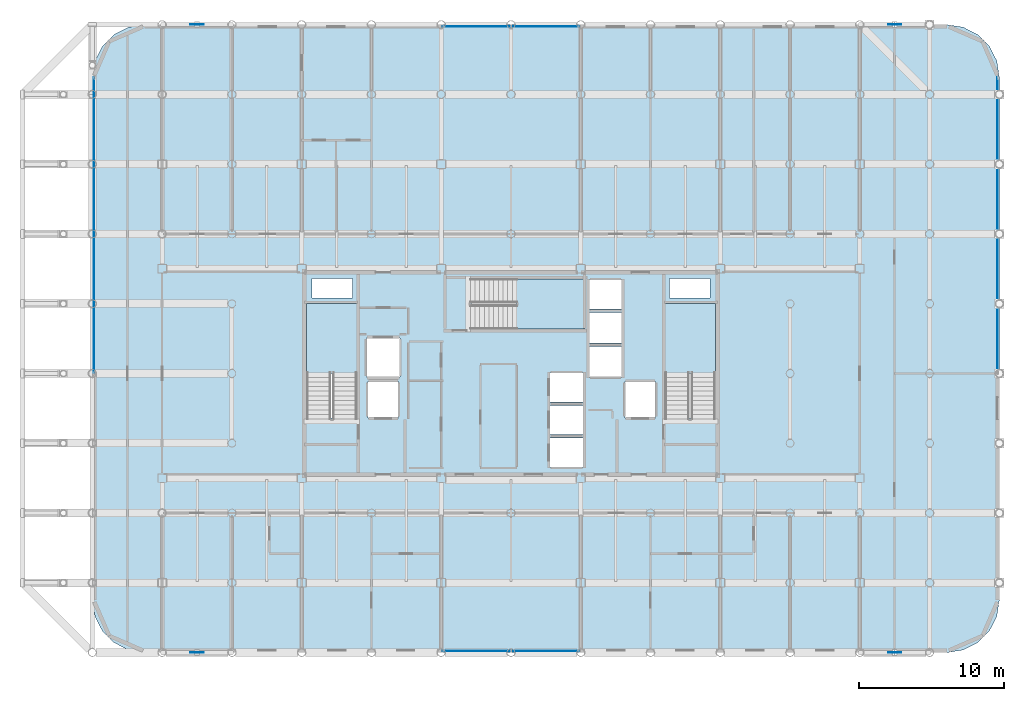
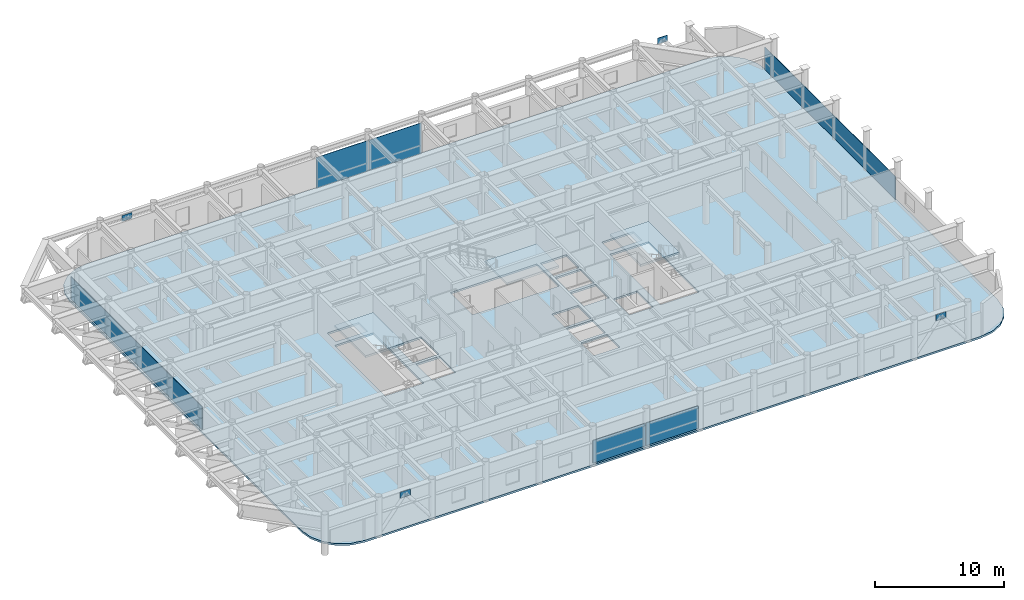
# One storey, part 20 of 27: 10 plates, 4 slabs, 7 elements without a shape of their own.
"""IFC4 building model written with IfcOpenShell, lengths in metres."""

import ifcopenshell
import ifcopenshell.guid

model = None  # the IFC model being written
_history = None  # IfcOwnerHistory: only IFC2X3 demands one
_inside = {}  # id of a spatial element -> (the spatial element, [elements in it])
_under = {}  # id of a project, library or spatial element -> (it, [spatial elements below it])
_declared = {}  # id of a project -> (the project, [libraries it declares])
_typed = {}  # id of a type object -> (the type object, [elements of that type])
_made_of = {}  # id of a material, layer set ... -> (it, [elements and type objects made of it])


def new_model(schema):
    """Start an empty IFC model of exactly this schema.

    Asked for "IFC4X3", IfcOpenShell would pick the latest addendum, in which some entities
    have other attributes; the version numbers below select the first issue.
    IFC2X3 requires an IfcOwnerHistory on every rooted entity: one is made here for all.
    """
    global model, _history
    if schema == "IFC4X3":
        model = ifcopenshell.file(schema_version=(4, 3, 0, 0))
    else:
        model = ifcopenshell.file(schema=schema)
    _inside.clear()
    _under.clear()
    _declared.clear()
    _typed.clear()
    _made_of.clear()
    _history = None
    if model.schema == "IFC2X3":
        org = make("IfcOrganization", Name="unknown")
        user = make(
            "IfcPersonAndOrganization",
            ThePerson=make("IfcPerson", FamilyName="unknown"),
            TheOrganization=org,
        )
        app = make(
            "IfcApplication",
            ApplicationDeveloper=org,
            Version="unknown",
            ApplicationFullName="unknown",
            ApplicationIdentifier="unknown",
        )
        _history = make(
            "IfcOwnerHistory",
            OwningUser=user,
            OwningApplication=app,
            ChangeAction="ADDED",
            CreationDate=0,
        )
    return model


def make(cls, **values):
    """One entity of the class cls with the attributes given. An attribute that is None is left unset."""
    return model.create_entity(
        cls, **{name: value for name, value in values.items() if value is not None}
    )


def rooted(cls, **values):
    """An entity with a GlobalId (a new one), such as an element, a storey or a relation."""
    return make(cls, GlobalId=ifcopenshell.guid.new(), OwnerHistory=_history, **values)


def si_unit(unit_type, name, prefix=None):
    """IfcSIUnit, for example si_unit("LENGTHUNIT", "METRE", prefix="MILLI")."""
    return make("IfcSIUnit", UnitType=unit_type, Prefix=prefix, Name=name)


def assignment(units):
    """IfcUnitAssignment: the units of a project."""
    return None if units is None else make("IfcUnitAssignment", Units=units)


def point(xyz):
    """IfcCartesianPoint."""
    return None if xyz is None else make("IfcCartesianPoint", Coordinates=xyz)


def direction(xyz):
    """IfcDirection."""
    return None if xyz is None else make("IfcDirection", DirectionRatios=xyz)


def frame(location, z_axis=None, x_axis=None):
    """IfcAxis2Placement3D, a coordinate frame: its origin and axes. An axis left out is left unset."""
    return make(
        "IfcAxis2Placement3D",
        Location=point(location),
        Axis=direction(z_axis),
        RefDirection=direction(x_axis),
    )


def frame_2d(location, x_axis=None):
    """IfcAxis2Placement2D, a coordinate frame in the plane: its origin and x axis."""
    return make(
        "IfcAxis2Placement2D", Location=point(location), RefDirection=direction(x_axis)
    )


def origin():
    """The frame at (0, 0, 0) with its axes left unset."""
    return frame((0.0, 0.0, 0.0))


def origin_2d():
    """The frame at (0, 0) in the plane with its x axis left unset."""
    return frame_2d((0.0, 0.0))


def place(relative_to, where):
    """IfcLocalPlacement: puts the frame where relative to a parent placement (None: the world)."""
    return make(
        "IfcLocalPlacement", PlacementRelTo=relative_to, RelativePlacement=where
    )


def context(
    kind, dimensions, precision=None, world=None, true_north=None, identifier=None
):
    """IfcGeometricRepresentationContext, for example the 3D "Model" context."""
    return make(
        "IfcGeometricRepresentationContext",
        ContextIdentifier=identifier,
        ContextType=kind,
        CoordinateSpaceDimension=dimensions,
        Precision=precision,
        WorldCoordinateSystem=world,
        TrueNorth=true_north,
    )


def subcontext(parent, identifier, kind, view, scale=None):
    """IfcGeometricRepresentationSubContext, for example "Body" below "Model"."""
    return make(
        "IfcGeometricRepresentationSubContext",
        ContextIdentifier=identifier,
        ContextType=kind,
        ParentContext=parent,
        TargetScale=scale,
        TargetView=view,
    )


def project(units=None, contexts=None):
    """IfcProject with its units and contexts."""
    return rooted(
        "IfcProject",
        Name="project",
        RepresentationContexts=contexts,
        UnitsInContext=assignment(units),
    )


def spatial(cls, under=None, at=None, **own):
    """A site, building, storey or space (cls), placed at a placement, below another one or the project."""
    s = rooted(cls, ObjectPlacement=at, **own)
    if under is not None:
        _under.setdefault(under.id(), (under, []))[1].append(s)
    return s


def polyline(points):
    """IfcPolyline through the points."""
    return make("IfcPolyline", Points=[point(p) for p in points])


def profile(cls, at=None, kind="AREA", **sizes):
    """A parametric profile (cls). Its sizes go by their IFC names, for example OverallWidth=200.0."""
    return make(cls, ProfileType=kind, Position=at, **sizes)


def rectangle(**sizes):
    """IfcRectangleProfileDef."""
    return profile("IfcRectangleProfileDef", **sizes)


def outline(outer, holes=None, kind="AREA"):
    """IfcArbitraryClosedProfileDef: a profile drawn as a closed curve; with holes, ...WithVoids."""
    if holes is None:
        return make("IfcArbitraryClosedProfileDef", ProfileType=kind, OuterCurve=outer)
    return make(
        "IfcArbitraryProfileDefWithVoids",
        ProfileType=kind,
        OuterCurve=outer,
        InnerCurves=holes,
    )


def extrude(swept, where, along, depth):
    """IfcExtrudedAreaSolid: the profile swept, set in the frame where, extruded along a direction by depth."""
    return make(
        "IfcExtrudedAreaSolid",
        SweptArea=swept,
        Position=where,
        ExtrudedDirection=direction(along),
        Depth=depth,
    )


def shape(context_of_items, identifier, shape_type, items):
    """IfcShapeRepresentation: the items that make up one representation, for example the "Body"."""
    return make(
        "IfcShapeRepresentation",
        ContextOfItems=context_of_items,
        RepresentationIdentifier=identifier,
        RepresentationType=shape_type,
        Items=items,
    )


def material(Name=None, Category=None):
    """IfcMaterial."""
    return make("IfcMaterial", Name=Name, Category=Category)


def layer(
    of_material, thickness, ventilated=None, Name=None, Category=None, Priority=None
):
    """IfcMaterialLayer: one layer of a wall or slab, of a material (None: an air gap)."""
    return make(
        "IfcMaterialLayer",
        Material=of_material,
        LayerThickness=thickness,
        IsVentilated=ventilated,
        Name=Name,
        Category=Category,
        Priority=Priority,
    )


def layer_set(layers, Name=None):
    """IfcMaterialLayerSet."""
    return make("IfcMaterialLayerSet", MaterialLayers=layers, LayerSetName=Name)


def made_of(thing, what):
    """Note that an element or type object is made of a material, layer set ...; save() writes the relation."""
    if what is not None:
        _made_of.setdefault(what.id(), (what, []))[1].append(thing)
    return thing


def type_object(cls, material=None, **own):
    """A type object (cls), such as IfcWallType, which elements share."""
    return made_of(rooted(cls, **own), material)


def element(
    cls,
    number,
    at=None,
    inside=None,
    cuts=None,
    type_object=None,
    material=None,
    context=None,
    identifier="Body",
    shape_type=None,
    held_by="IfcProductDefinitionShape",
    body=None,
    shapes=None,
    **own,
):
    """One element of the class cls, such as IfcWall. Its Tag is "e" and its number.

    at: its placement. inside: the storey or other place that contains it. cuts: it is an
    opening in that element (IfcRelVoidsElement). A single representation is given by context,
    identifier, shape_type and body (its items); several are given by shapes. held_by: the class
    of the entity that holds the representations. save() writes the other relations.
    """
    e = rooted(cls, Tag="e%d" % number, ObjectPlacement=at, **own)
    if body is not None:
        shapes = [shape(context, identifier, shape_type, body)]
    if shapes is not None:
        e.Representation = make(held_by, Representations=shapes)
    if inside is not None:
        _inside.setdefault(inside.id(), (inside, []))[1].append(e)
    if cuts is not None:
        rooted(
            "IfcRelVoidsElement", RelatingBuildingElement=cuts, RelatedOpeningElement=e
        )
    if type_object is not None:
        _typed.setdefault(type_object.id(), (type_object, []))[1].append(e)
    return made_of(e, material)


def aggregate(whole, parts):
    """IfcRelAggregates: a whole, such as a stair, and the parts it consists of."""
    return rooted("IfcRelAggregates", RelatingObject=whole, RelatedObjects=parts)


def save(model, path):
    """Write the relations noted so far, then the file.

    IfcRelAggregates (storeys below a building ...), IfcRelContainedInSpatialStructure (elements
    in a storey), IfcRelDefinesByType, IfcRelAssociatesMaterial and IfcRelDeclares: one each for
    every whole, place, type object, material and project.
    """
    for whole, parts in _under.values():
        aggregate(whole, parts)
    for where, things in _inside.values():
        rooted(
            "IfcRelContainedInSpatialStructure",
            RelatedElements=things,
            RelatingStructure=where,
        )
    for kind, things in _typed.values():
        rooted("IfcRelDefinesByType", RelatedObjects=things, RelatingType=kind)
    for what, things in _made_of.values():
        rooted("IfcRelAssociatesMaterial", RelatedObjects=things, RelatingMaterial=what)
    for by, libraries in _declared.values():
        rooted("IfcRelDeclares", RelatingContext=by, RelatedDefinitions=libraries)
    model.write(path)


model = new_model("IFC4")

# Units and contexts
model_context = context("Model", 3, precision=1e-05, world=origin(), true_north=direction((0.0, 1.0)))
body_context = subcontext(model_context, "Body", "Model", "MODEL_VIEW")
ifc_project = project(units=[si_unit("LENGTHUNIT", "METRE"), si_unit("AREAUNIT", "SQUARE_METRE"), si_unit("VOLUMEUNIT", "CUBIC_METRE"), si_unit("PLANEANGLEUNIT", "RADIAN"), si_unit("MASSUNIT", "GRAM", prefix="KILO")], contexts=[model_context])

# Site, building, storey
site_placement = place(None, origin())
site = spatial("IfcSite", under=ifc_project, at=site_placement, CompositionType="ELEMENT")
building_placement = place(site_placement, origin())
building = spatial("IfcBuilding", under=site, at=building_placement, Name="Kallvorn Hotel Tower", CompositionType="ELEMENT")
storey_placement = place(building_placement, frame((0.0, 0.0, 245.39990234375)))
storey = spatial("IfcBuildingStorey", under=building, at=storey_placement, Name="L61", CompositionType="ELEMENT", Elevation=245.39990234375)

# Curtain wall, plates
ifc_material_1 = material(Name="Thermally broken black-anodised aluminium AA 6063-T6", Category="aluminium")
ifc_layer_1 = layer(ifc_material_1, 0.22998046875)
ifc_layer_set_1 = layer_set([ifc_layer_1], Name="CW_SYS_5_HOTEL_HIGH")
curtain_wall_type = type_object("IfcCurtainWallType", Name="CW_SYS_5_HOTEL_HIGH", PredefinedType="USERDEFINED", material=ifc_layer_set_1)
curtain_wall_1_placement = place(storey_placement, origin())
curtain_wall_1 = element("IfcCurtainWall", 1, at=curtain_wall_1_placement, inside=storey, type_object=curtain_wall_type, Name="L61 Dark-Glass Curtain Wall CW-L61-SC", ObjectType="UNITISED CURTAIN WALL", PredefinedType="USERDEFINED")
ifc_material_2 = material(Name="Triple-glazed low-e acoustic solar-control dark glass", Category="glass")
ifc_layer_2 = layer(ifc_material_2, 0.04150390625)
ifc_layer_set_2 = layer_set([ifc_layer_2], Name="CW_SYS_5_HOTEL_HIGH_PANEL")
plate_type_1 = type_object("IfcPlateType", Name="CW_SYS_5_HOTEL_HIGH_PANEL", PredefinedType="CURTAIN_PANEL", material=ifc_layer_set_2)
plate_1_placement = place(storey_placement, frame((-2.375, -19.080078125, 0.06005859375), z_axis=(0.0, 0.0, 1.0), x_axis=(1.0, 0.0, 0.0)))
plate_1 = element("IfcPlate", 2, at=plate_1_placement, type_object=plate_type_1, Name="CW-L61-SC Vision Glass Panel 00", PredefinedType="CURTAIN_PANEL", context=body_context, shape_type="SweptSolid", body=[
    extrude(rectangle(XDim=4.68994140625, YDim=0.04150390625, at=origin_2d()), origin(), (0.0, 0.0, 1.0), 2.14990234375),
])
plate_2_placement = place(storey_placement, frame((2.375, -19.080078125, 0.06005859375), z_axis=(0.0, 0.0, 1.0), x_axis=(1.0, 0.0, 0.0)))
plate_2 = element("IfcPlate", 3, at=plate_2_placement, type_object=plate_type_1, Name="CW-L61-SC Vision Glass Panel 01", PredefinedType="CURTAIN_PANEL", context=body_context, shape_type="SweptSolid", body=[
    extrude(rectangle(XDim=4.68994140625, YDim=0.04150390625, at=origin_2d()), origin(), (0.0, 0.0, 1.0), 2.14990234375),
])
aggregate(curtain_wall_1, [plate_1, plate_2])

curtain_wall_2_placement = place(storey_placement, origin())
curtain_wall_2 = element("IfcCurtainWall", 4, at=curtain_wall_2_placement, inside=storey, type_object=curtain_wall_type, Name="L61 Dark-Glass Curtain Wall CW-L61-NC", ObjectType="UNITISED CURTAIN WALL", PredefinedType="USERDEFINED")
plate_3_placement = place(storey_placement, frame((-2.375, 23.8798828125, 0.06005859375), z_axis=(0.0, 0.0, 1.0), x_axis=(1.0, 0.0, 0.0)))
plate_3 = element("IfcPlate", 5, at=plate_3_placement, type_object=plate_type_1, Name="CW-L61-NC Vision Glass Panel 00", PredefinedType="CURTAIN_PANEL", context=body_context, shape_type="SweptSolid", body=[
    extrude(rectangle(XDim=4.68994140625, YDim=0.04150390625, at=origin_2d()), origin(), (0.0, 0.0, 1.0), 2.89990234375),
])
plate_4_placement = place(storey_placement, frame((2.375, 23.8798828125, 0.06005859375), z_axis=(0.0, 0.0, 1.0), x_axis=(1.0, 0.0, 0.0)))
plate_4 = element("IfcPlate", 6, at=plate_4_placement, type_object=plate_type_1, Name="CW-L61-NC Vision Glass Panel 01", PredefinedType="CURTAIN_PANEL", context=body_context, shape_type="SweptSolid", body=[
    extrude(rectangle(XDim=4.68994140625, YDim=0.04150390625, at=origin_2d()), origin(), (0.0, 0.0, 1.0), 2.89990234375),
])
aggregate(curtain_wall_2, [plate_3, plate_4])

# Curtain wall, plate
curtain_wall_3_placement = place(storey_placement, origin())
curtain_wall_3 = element("IfcCurtainWall", 7, at=curtain_wall_3_placement, inside=storey, type_object=curtain_wall_type, Name="L61 Dark-Glass Curtain Wall CW-L61-WN", ObjectType="UNITISED CURTAIN WALL", PredefinedType="USERDEFINED")
plate_5_placement = place(storey_placement, frame((-28.679931640625, 10.2099609375, 0.06005859375), z_axis=(0.0, 0.0, 1.0), x_axis=(0.0, 1.0, 0.0)))
plate_5 = element("IfcPlate", 8, at=plate_5_placement, type_object=plate_type_1, Name="CW-L61-WN Vision Glass Panel 00", PredefinedType="CURTAIN_PANEL", context=body_context, shape_type="SweptSolid", body=[
    extrude(rectangle(XDim=20.320068359375, YDim=0.04150390625, at=origin_2d()), origin(), (0.0, 0.0, 1.0), 2.14990234375),
])
aggregate(curtain_wall_3, [plate_5])

curtain_wall_4_placement = place(storey_placement, origin())
curtain_wall_4 = element("IfcCurtainWall", 9, at=curtain_wall_4_placement, inside=storey, type_object=curtain_wall_type, Name="L61 Dark-Glass Curtain Wall CW-L61-EN", ObjectType="UNITISED CURTAIN WALL", PredefinedType="USERDEFINED")
plate_6_placement = place(storey_placement, frame((33.47998046875, 10.2099609375, 0.06005859375), z_axis=(0.0, 0.0, 1.0), x_axis=(0.0, 1.0, 0.0)))
plate_6 = element("IfcPlate", 10, at=plate_6_placement, type_object=plate_type_1, Name="CW-L61-EN Vision Glass Panel 00", PredefinedType="CURTAIN_PANEL", context=body_context, shape_type="SweptSolid", body=[
    extrude(rectangle(XDim=20.320068359375, YDim=0.04150390625, at=origin_2d()), origin(), (0.0, 0.0, 1.0), 2.14990234375),
])
aggregate(curtain_wall_4, [plate_6])

# Plates
ifc_material_3 = material(Name="Structural steel S355JR", Category="steel")
ifc_layer_3 = layer(ifc_material_3, 0.034912109375)
ifc_layer_set_3 = layer_set([ifc_layer_3], Name="PLT_GUSSET_35")
plate_type_2 = type_object("IfcPlateType", Name="PLT_GUSSET_35", PredefinedType="USERDEFINED", material=ifc_layer_set_3)
for number, where, z_axis, x_axis, name in (
    (11, (-21.60009765625, -19.199951171875, 2.89013671875), (0.0, 0.0, 1.0), (1.0, 0.0, 0.0), "L61 Exoskeleton Node Gusset S1"),
    (12, (26.39990234375, -19.199951171875, 2.89013671875), (0.0, 0.0, 1.0), (1.0, 0.0, 0.0), "L61 Exoskeleton Node Gusset S2"),
    (13, (-21.60009765625, 24.0, 2.89013671875), (0.0, 0.0, 1.0), (1.0, 0.0, 0.0), "L61 Exoskeleton Node Gusset N1"),
    (14, (26.39990234375, 24.0, 2.89013671875), (0.0, 0.0, 1.0), (1.0, 0.0, 0.0), "L61 Exoskeleton Node Gusset N2"),
):
    element("IfcPlate", number, at=place(storey_placement, frame(where, z_axis=z_axis, x_axis=x_axis)), inside=storey, type_object=plate_type_2, Name=name, ObjectType="GUSSET PLATE", PredefinedType="USERDEFINED", context=body_context, shape_type="SweptSolid", body=[
        extrude(rectangle(XDim=0.89990234375, YDim=0.034912109375, at=origin_2d()), origin(), (0.0, 0.0, 1.0), 0.56005859375),
    ])

# Stair, slab
ifc_material_4 = material(Name="Precast concrete C40/50", Category="concrete")
stair_type = type_object("IfcStairType", Name="STR_CORE_DOGLEG", PredefinedType="HALF_TURN_STAIR", material=ifc_material_4)
stair_1_placement = place(storey_placement, origin())
stair_1 = element("IfcStair", 15, at=stair_1_placement, inside=storey, type_object=stair_type, Name="L61 Exit stair ST1", PredefinedType="HALF_TURN_STAIR")
ifc_material_5 = material(Name="Precast concrete C40/50", Category="concrete")
ifc_layer_4 = layer(ifc_material_5, 0.179931640625)
ifc_layer_set_4 = layer_set([ifc_layer_4], Name="SLB_LANDING_180")
slab_type_1 = type_object("IfcSlabType", Name="SLB_LANDING_180", PredefinedType="LANDING", material=ifc_layer_set_4)
slab_1_placement = place(storey_placement, frame((0.0, 0.0, 1.72509765625)))
slab_1 = element("IfcSlab", 16, at=slab_1_placement, type_object=slab_type_1, Name="ST1 landing 1", PredefinedType="LANDING", context=body_context, shape_type="SweptSolid", body=[
    extrude(outline(polyline([(-10.60009765625, 0.010009765625), (-10.60009765625, 4.800048828125), (-14.06005859375, 4.800048828125), (-14.06005859375, 0.010009765625), (-10.60009765625, 0.010009765625)])), origin(), (0.0, 0.0, 1.0), 0.199951171875),
])
aggregate(stair_1, [slab_1])

stair_2_placement = place(storey_placement, origin())
stair_2 = element("IfcStair", 17, at=stair_2_placement, inside=storey, type_object=stair_type, Name="L61 Exit stair ST2", PredefinedType="HALF_TURN_STAIR")
slab_2_placement = place(storey_placement, frame((0.0, 0.0, 1.72509765625)))
slab_2 = element("IfcSlab", 18, at=slab_2_placement, type_object=slab_type_1, Name="ST2 landing 1", PredefinedType="LANDING", context=body_context, shape_type="SweptSolid", body=[
    extrude(outline(polyline([(14.06005859375, 0.010009765625), (14.06005859375, 4.800048828125), (10.60009765625, 4.800048828125), (10.60009765625, 0.010009765625), (14.06005859375, 0.010009765625)])), origin(), (0.0, 0.0, 1.0), 0.199951171875),
])
aggregate(stair_2, [slab_2])

stair_3_placement = place(storey_placement, origin())
stair_3 = element("IfcStair", 19, at=stair_3_placement, inside=storey, type_object=stair_type, Name="L61 Exit stair ST3", PredefinedType="HALF_TURN_STAIR")
slab_3_placement = place(storey_placement, frame((0.0, 0.0, 1.72509765625)))
slab_3 = element("IfcSlab", 20, at=slab_3_placement, type_object=slab_type_1, Name="ST3 landing 1", PredefinedType="LANDING", context=body_context, shape_type="SweptSolid", body=[
    extrude(outline(polyline([(0.360107421875, 3.050048828125), (5.050048828125, 3.050048828125), (5.050048828125, 6.510009765625), (0.360107421875, 6.510009765625), (0.360107421875, 3.050048828125)])), origin(), (0.0, 0.0, 1.0), 0.199951171875),
])
aggregate(stair_3, [slab_3])

# Slab
ifc_material_6 = material(Name="Concrete C40/50", Category="concrete")
ifc_layer_5 = layer(ifc_material_6, 0.179931640625)
ifc_layer_set_5 = layer_set([ifc_layer_5], Name="SLB_TOWER_180")
slab_type_2 = type_object("IfcSlabType", Name="SLB_TOWER_180", PredefinedType="FLOOR", material=ifc_layer_set_5)
slab_4_placement = place(storey_placement, frame((0.0, 0.0, -0.179931640625)))
element("IfcSlab", 21, at=slab_4_placement, inside=storey, type_object=slab_type_2, Name="L61 Structural Floor Slab", PredefinedType="FLOOR", context=body_context, shape_type="SweptSolid", body=[
    extrude(outline(polyline([(30.0, -19.199951171875), (31.112548828125, -19.023681640625), (32.115966796875, -18.512451171875), (32.91259765625, -17.716064453125), (33.423828125, -16.71240234375), (33.60009765625, -15.60009765625), (33.60009765625, 20.39990234375), (33.423828125, 21.512451171875), (32.91259765625, 22.51611328125), (32.115966796875, 23.3125), (31.112548828125, 23.82373046875), (30.0, 24.0), (-25.199951171875, 24.0), (-26.3125, 23.82373046875), (-27.31591796875, 23.3125), (-28.112548828125, 22.51611328125), (-28.623779296875, 21.512451171875), (-28.800048828125, 20.39990234375), (-28.800048828125, -15.60009765625), (-28.623779296875, -16.71240234375), (-28.112548828125, -17.716064453125), (-27.31591796875, -18.512451171875), (-26.3125, -19.023681640625), (-25.199951171875, -19.199951171875), (30.0, -19.199951171875)]), holes=[polyline([(-10.60009765625, -3.070068359375), (-10.60009765625, 4.800048828125), (-14.06005859375, 4.800048828125), (-14.06005859375, -3.070068359375), (-10.60009765625, -3.070068359375)]), polyline([(14.06005859375, -3.070068359375), (14.06005859375, 4.800048828125), (10.60009765625, 4.800048828125), (10.60009765625, -3.070068359375), (14.06005859375, -3.070068359375)]), polyline([(-2.719970703125, 3.050048828125), (5.050048828125, 3.050048828125), (5.050048828125, 6.510009765625), (-2.719970703125, 6.510009765625), (-2.719970703125, 3.050048828125)]), polyline([(2.64990234375, -6.449951171875), (5.0, -6.449951171875), (5.0, -4.449951171875), (2.64990234375, -4.449951171875), (2.64990234375, -6.449951171875)]), polyline([(2.64990234375, -4.199951171875), (5.0, -4.199951171875), (5.0, -2.199951171875), (2.64990234375, -2.199951171875), (2.64990234375, -4.199951171875)]), polyline([(2.64990234375, -1.949951171875), (5.0, -1.949951171875), (5.0, 0.050048828125), (2.64990234375, 0.050048828125), (2.64990234375, -1.949951171875)]), polyline([(5.35009765625, -0.25), (7.64990234375, -0.25), (7.64990234375, 1.85009765625), (5.35009765625, 1.85009765625), (5.35009765625, -0.25)]), polyline([(5.35009765625, 2.10009765625), (7.64990234375, 2.10009765625), (7.64990234375, 4.199951171875), (5.35009765625, 4.199951171875), (5.35009765625, 2.10009765625)]), polyline([(5.35009765625, 4.449951171875), (7.64990234375, 4.449951171875), (7.64990234375, 6.449951171875), (5.35009765625, 6.449951171875), (5.35009765625, 4.449951171875)]), polyline([(-9.85009765625, -3.050048828125), (-7.75, -3.050048828125), (-7.75, -0.550048828125), (-9.85009765625, -0.550048828125), (-9.85009765625, -3.050048828125)]), polyline([(7.85009765625, -3.050048828125), (9.949951171875, -3.050048828125), (9.949951171875, -0.550048828125), (7.85009765625, -0.550048828125), (7.85009765625, -3.050048828125)]), polyline([(-9.949951171875, -0.25), (-7.64990234375, -0.25), (-7.64990234375, 2.449951171875), (-9.949951171875, 2.449951171875), (-9.949951171875, -0.25)]), polyline([(-13.699951171875, 5.199951171875), (-10.89990234375, 5.199951171875), (-10.89990234375, 6.550048828125), (-13.699951171875, 6.550048828125), (-13.699951171875, 5.199951171875)]), polyline([(10.89990234375, 5.199951171875), (13.699951171875, 5.199951171875), (13.699951171875, 6.550048828125), (10.89990234375, 6.550048828125), (10.89990234375, 5.199951171875)])]), origin(), (0.0, 0.0, 1.0), 0.179931640625),
])

save(model, "model.ifc")
